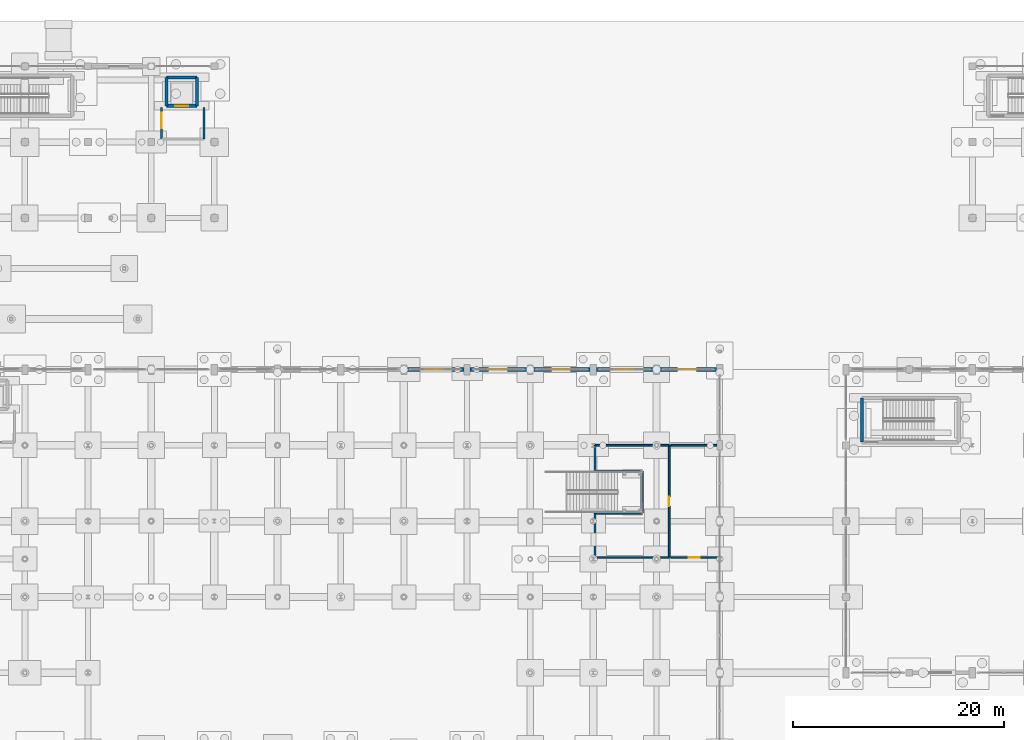
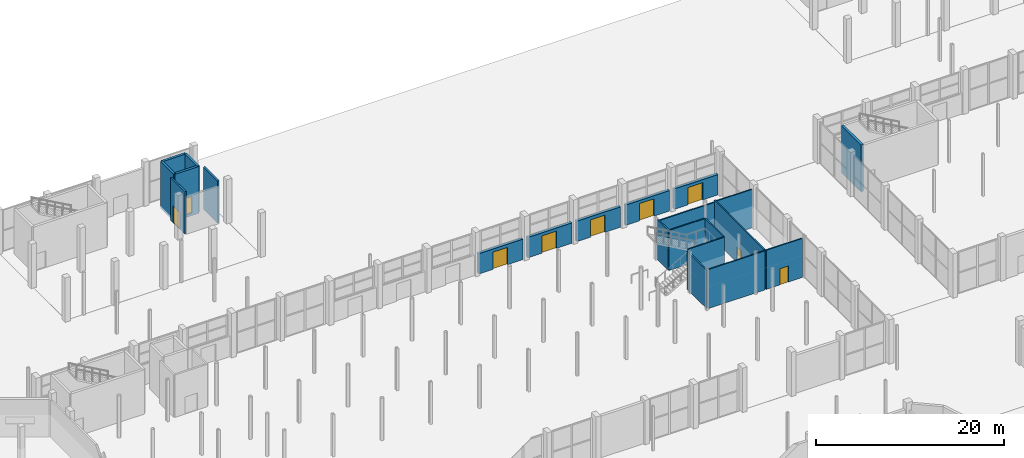
# One storey, part 81 of 103: 22 walls, 9 doors, 9 openings.
"""IFC4 building model written with IfcOpenShell, lengths in metres."""

from ifc_helpers import new_model, si_unit, direction, frame, frame_2d, origin, place, context, subcontext, project, spatial, rectangle, extrude, material, layer, layer_set, type_object, element, fill, save


model = new_model("IFC4")

# Units and contexts
model_context = context("Model", 3, precision=1e-05, world=origin(), true_north=direction((0.0, 1.0)))
body_context = subcontext(model_context, "Body", "Model", "MODEL_VIEW")
ifc_project = project(units=[si_unit("LENGTHUNIT", "METRE"), si_unit("AREAUNIT", "SQUARE_METRE"), si_unit("VOLUMEUNIT", "CUBIC_METRE"), si_unit("PLANEANGLEUNIT", "RADIAN"), si_unit("MASSUNIT", "GRAM", prefix="KILO")], contexts=[model_context])

# Site, building, storey
site_placement = place(None, origin())
site = spatial("IfcSite", under=ifc_project, at=site_placement, CompositionType="ELEMENT")
building_placement = place(site_placement, origin())
building = spatial("IfcBuilding", under=site, at=building_placement, Name="Dunvalen Ferry Terminal", CompositionType="ELEMENT")
storey_placement = place(building_placement, origin())
storey = spatial("IfcBuildingStorey", under=building, at=storey_placement, Name="L00", CompositionType="ELEMENT", Elevation=0.0)

# Wall, opening, door
ifc_material_1 = material(Name="Precast concrete C40/50", Category="concrete")
ifc_layer_1 = layer(ifc_material_1, 0.340087890625, Name="Precast concrete C40/50")
ifc_layer_set_1 = layer_set([ifc_layer_1], Name="Precast concrete C40/50")
wall_type_1 = type_object("IfcWallType", Name="ENV-WL-SPN340", PredefinedType="SOLIDWALL", material=ifc_layer_set_1)
wall_1_placement = place(storey_placement, frame((66.277099609375, 86.39990234375, 0.0), z_axis=(0.0, 0.0, 1.0), x_axis=(1.0, 0.0, 0.0)))
wall_1 = element("IfcWall", 1, at=wall_1_placement, inside=storey, type_object=wall_type_1, Name="L00 Departure Hall Quay Storefront Portal Wall 10", PredefinedType="SOLIDWALL", context=body_context, shape_type="SweptSolid", body=[
    extrude(rectangle(XDim=5.4208984375, YDim=0.340087890625, at=frame_2d((2.71044921875, 0.0))), origin(), (0.0, 0.0, 1.0), 2.64990234375),
])
opening_1_placement = place(wall_1_placement, frame((1.733154296875, 0.0, 0.0)))
opening_1 = element("IfcOpeningElement", 2, at=opening_1_placement, cuts=wall_1, Name="Opening ED-03", PredefinedType="OPENING", context=body_context, shape_type="SweptSolid", body=[
    extrude(rectangle(XDim=1.800048828125, YDim=2.25, at=frame_2d((0.89990234375, 1.125))), frame((0.0, 0.18017578125, 0.0), z_axis=(0.0, -1.0, 0.0), x_axis=(1.0, 0.0, 0.0)), (0.0, 0.0, 1.0), 0.360107421875),
])
ifc_material_2 = material(Name="Marine grade powder-coated aluminium and laminated glass", Category="aluminium")
door_type_1 = type_object("IfcDoorType", Name="ENV-DR-EXT-1800", OperationType="DOUBLE_SWING_LEFT", PredefinedType="DOOR", material=ifc_material_2)
door_1_placement = place(opening_1_placement, origin())
door_1 = element("IfcDoor", 3, at=door_1_placement, inside=storey, type_object=door_type_1, Name="L00 Departure Hall Quay Promenade Exit Door 10", OperationType="DOUBLE_SWING_LEFT", OverallHeight=2.25, OverallWidth=1.800048828125, PredefinedType="DOOR", context=body_context, shape_type="SweptSolid", body=[
    extrude(rectangle(XDim=1.800048828125, YDim=2.25, at=frame_2d((0.89990234375, 1.125))), frame((0.0, 0.02490234375, 0.0), z_axis=(0.0, -1.0, 0.0), x_axis=(1.0, 0.0, 0.0)), (0.0, 0.0, 1.0), 0.050048828125),
])
fill(opening_1, door_1)

wall_2_placement = place(storey_placement, frame((72.302001953125, 86.39990234375, 0.0), z_axis=(0.0, 0.0, 1.0), x_axis=(1.0, 0.0, 0.0)))
wall_2 = element("IfcWall", 4, at=wall_2_placement, inside=storey, type_object=wall_type_1, Name="L00 Departure Hall Quay Storefront Portal Wall 11", PredefinedType="SOLIDWALL", context=body_context, shape_type="SweptSolid", body=[
    extrude(rectangle(XDim=5.4208984375, YDim=0.340087890625, at=frame_2d((2.71044921875, 0.0))), origin(), (0.0, 0.0, 1.0), 2.64990234375),
])
opening_2_placement = place(wall_2_placement, frame((1.733154296875, 0.0, 0.0)))
opening_2 = element("IfcOpeningElement", 5, at=opening_2_placement, cuts=wall_2, Name="Opening ED-03", PredefinedType="OPENING", context=body_context, shape_type="SweptSolid", body=[
    extrude(rectangle(XDim=1.800048828125, YDim=2.25, at=frame_2d((0.89990234375, 1.125))), frame((0.0, 0.18017578125, 0.0), z_axis=(0.0, -1.0, 0.0), x_axis=(1.0, 0.0, 0.0)), (0.0, 0.0, 1.0), 0.360107421875),
])
door_2_placement = place(opening_2_placement, origin())
door_2 = element("IfcDoor", 6, at=door_2_placement, inside=storey, type_object=door_type_1, Name="L00 Departure Hall Quay Promenade Exit Door 11", OperationType="DOUBLE_SWING_LEFT", OverallHeight=2.25, OverallWidth=1.800048828125, PredefinedType="DOOR", context=body_context, shape_type="SweptSolid", body=[
    extrude(rectangle(XDim=1.800048828125, YDim=2.25, at=frame_2d((0.89990234375, 1.125))), frame((0.0, 0.02490234375, 0.0), z_axis=(0.0, -1.0, 0.0), x_axis=(1.0, 0.0, 0.0)), (0.0, 0.0, 1.0), 0.050048828125),
])
fill(opening_2, door_2)

wall_3_placement = place(storey_placement, frame((78.277099609375, 86.39990234375, 0.0), z_axis=(0.0, 0.0, 1.0), x_axis=(1.0, 0.0, 0.0)))
wall_3 = element("IfcWall", 7, at=wall_3_placement, inside=storey, type_object=wall_type_1, Name="L00 Departure Hall Quay Storefront Portal Wall 12", PredefinedType="SOLIDWALL", context=body_context, shape_type="SweptSolid", body=[
    extrude(rectangle(XDim=5.4208984375, YDim=0.340087890625, at=frame_2d((2.71044921875, 0.0))), origin(), (0.0, 0.0, 1.0), 2.64990234375),
])
opening_3_placement = place(wall_3_placement, frame((1.733154296875, 0.0, 0.0)))
opening_3 = element("IfcOpeningElement", 8, at=opening_3_placement, cuts=wall_3, Name="Opening ED-03", PredefinedType="OPENING", context=body_context, shape_type="SweptSolid", body=[
    extrude(rectangle(XDim=1.800048828125, YDim=2.25, at=frame_2d((0.89990234375, 1.125))), frame((0.0, 0.18017578125, 0.0), z_axis=(0.0, -1.0, 0.0), x_axis=(1.0, 0.0, 0.0)), (0.0, 0.0, 1.0), 0.360107421875),
])
door_3_placement = place(opening_3_placement, origin())
door_3 = element("IfcDoor", 9, at=door_3_placement, inside=storey, type_object=door_type_1, Name="L00 Departure Hall Quay Promenade Exit Door 12", OperationType="DOUBLE_SWING_LEFT", OverallHeight=2.25, OverallWidth=1.800048828125, PredefinedType="DOOR", context=body_context, shape_type="SweptSolid", body=[
    extrude(rectangle(XDim=1.800048828125, YDim=2.25, at=frame_2d((0.89990234375, 1.125))), frame((0.0, 0.02490234375, 0.0), z_axis=(0.0, -1.0, 0.0), x_axis=(1.0, 0.0, 0.0)), (0.0, 0.0, 1.0), 0.050048828125),
])
fill(opening_3, door_3)

wall_4_placement = place(storey_placement, frame((84.302001953125, 86.39990234375, 0.0), z_axis=(0.0, 0.0, 1.0), x_axis=(1.0, 0.0, 0.0)))
wall_4 = element("IfcWall", 10, at=wall_4_placement, inside=storey, type_object=wall_type_1, Name="L00 Departure Hall Quay Storefront Portal Wall 13", PredefinedType="SOLIDWALL", context=body_context, shape_type="SweptSolid", body=[
    extrude(rectangle(XDim=5.4208984375, YDim=0.340087890625, at=frame_2d((2.71044921875, 0.0))), origin(), (0.0, 0.0, 1.0), 2.64990234375),
])
opening_4_placement = place(wall_4_placement, frame((1.733154296875, 0.0, 0.0)))
opening_4 = element("IfcOpeningElement", 11, at=opening_4_placement, cuts=wall_4, Name="Opening ED-03", PredefinedType="OPENING", context=body_context, shape_type="SweptSolid", body=[
    extrude(rectangle(XDim=1.800048828125, YDim=2.25, at=frame_2d((0.89990234375, 1.125))), frame((0.0, 0.18017578125, 0.0), z_axis=(0.0, -1.0, 0.0), x_axis=(1.0, 0.0, 0.0)), (0.0, 0.0, 1.0), 0.360107421875),
])
door_4_placement = place(opening_4_placement, origin())
door_4 = element("IfcDoor", 12, at=door_4_placement, inside=storey, type_object=door_type_1, Name="L00 Departure Hall Quay Promenade Exit Door 13", OperationType="DOUBLE_SWING_LEFT", OverallHeight=2.25, OverallWidth=1.800048828125, PredefinedType="DOOR", context=body_context, shape_type="SweptSolid", body=[
    extrude(rectangle(XDim=1.800048828125, YDim=2.25, at=frame_2d((0.89990234375, 1.125))), frame((0.0, 0.02490234375, 0.0), z_axis=(0.0, -1.0, 0.0), x_axis=(1.0, 0.0, 0.0)), (0.0, 0.0, 1.0), 0.050048828125),
])
fill(opening_4, door_4)

wall_5_placement = place(storey_placement, frame((90.277099609375, 86.39990234375, 0.0), z_axis=(0.0, 0.0, 1.0), x_axis=(1.0, 0.0, 0.0)))
wall_5 = element("IfcWall", 13, at=wall_5_placement, inside=storey, type_object=wall_type_1, Name="L00 Departure Hall Quay Storefront Portal Wall 14", PredefinedType="SOLIDWALL", context=body_context, shape_type="SweptSolid", body=[
    extrude(rectangle(XDim=5.4208984375, YDim=0.340087890625, at=frame_2d((2.71044921875, 0.0))), origin(), (0.0, 0.0, 1.0), 2.64990234375),
])
opening_5_placement = place(wall_5_placement, frame((1.733154296875, 0.0, 0.0)))
opening_5 = element("IfcOpeningElement", 14, at=opening_5_placement, cuts=wall_5, Name="Opening ED-03", PredefinedType="OPENING", context=body_context, shape_type="SweptSolid", body=[
    extrude(rectangle(XDim=1.800048828125, YDim=2.25, at=frame_2d((0.89990234375, 1.125))), frame((0.0, 0.18017578125, 0.0), z_axis=(0.0, -1.0, 0.0), x_axis=(1.0, 0.0, 0.0)), (0.0, 0.0, 1.0), 0.360107421875),
])
door_5_placement = place(opening_5_placement, origin())
door_5 = element("IfcDoor", 15, at=door_5_placement, inside=storey, type_object=door_type_1, Name="L00 Departure Hall Quay Promenade Exit Door 14", OperationType="DOUBLE_SWING_LEFT", OverallHeight=2.25, OverallWidth=1.800048828125, PredefinedType="DOOR", context=body_context, shape_type="SweptSolid", body=[
    extrude(rectangle(XDim=1.800048828125, YDim=2.25, at=frame_2d((0.89990234375, 1.125))), frame((0.0, 0.02490234375, 0.0), z_axis=(0.0, -1.0, 0.0), x_axis=(1.0, 0.0, 0.0)), (0.0, 0.0, 1.0), 0.050048828125),
])
fill(opening_5, door_5)

ifc_material_3 = material(Name="Autoclaved aerated concrete blockwork", Category="masonry")
ifc_layer_2 = layer(ifc_material_3, 0.199951171875, Name="Autoclaved aerated concrete blockwork")
ifc_layer_set_2 = layer_set([ifc_layer_2], Name="Autoclaved aerated concrete blockwork")
wall_type_2 = type_object("IfcWallType", Name="INT-WL-CMP200", PredefinedType="PARTITIONING", material=ifc_layer_set_2)
wall_6_placement = place(storey_placement, frame((42.989990234375, 111.31005859375, 0.0), z_axis=(0.0, 0.0, 1.0), x_axis=(0.0, -1.0, 0.0)))
wall_6 = element("IfcWall", 16, at=wall_6_placement, inside=storey, type_object=wall_type_2, Name="L00 L00 Lift Lobby LP-03 Partition 2", PredefinedType="PARTITIONING", context=body_context, shape_type="SweptSolid", body=[
    extrude(rectangle(XDim=3.02001953125, YDim=0.199951171875, at=frame_2d((1.510009765625, 0.0))), origin(), (0.0, 0.0, 1.0), 5.5),
])
opening_6_placement = place(wall_6_placement, frame((0.508056640625, 0.0, 0.0)))
opening_6 = element("IfcOpeningElement", 17, at=opening_6_placement, cuts=wall_6, Name="Opening ID-04", PredefinedType="OPENING", context=body_context, shape_type="SweptSolid", body=[
    extrude(rectangle(XDim=1.5, YDim=2.199951171875, at=frame_2d((0.75, 1.10009765625))), frame((0.0, 0.10986328125, 0.0), z_axis=(0.0, -1.0, 0.0), x_axis=(1.0, 0.0, 0.0)), (0.0, 0.0, 1.0), 0.219970703125),
])
ifc_material_4 = material(Name="Anodised aluminium glazed fire door", Category="aluminium")
door_type_2 = type_object("IfcDoorType", Name="INT-DR-LOB-1500", OperationType="DOUBLE_SWING_LEFT", PredefinedType="DOOR", material=ifc_material_4)
door_6_placement = place(opening_6_placement, origin())
door_6 = element("IfcDoor", 18, at=door_6_placement, inside=storey, type_object=door_type_2, Name="L00 Lift Lobby LP-03 Door", OperationType="DOUBLE_SWING_LEFT", OverallHeight=2.199951171875, OverallWidth=1.5, PredefinedType="DOOR", context=body_context, shape_type="SweptSolid", body=[
    extrude(rectangle(XDim=1.5, YDim=2.199951171875, at=frame_2d((0.75, 1.10009765625))), frame((0.0, 0.02490234375, 0.0), z_axis=(0.0, -1.0, 0.0), x_axis=(1.0, 0.0, 0.0)), (0.0, 0.0, 1.0), 0.050048828125),
])
fill(opening_6, door_6)

# Walls
wall_7_placement = place(storey_placement, frame((47.010009765625, 108.2900390625, 0.0), z_axis=(0.0, 0.0, 1.0), x_axis=(0.0, 1.0, 0.0)))
element("IfcWall", 19, at=wall_7_placement, inside=storey, type_object=wall_type_2, Name="L00 L00 Lift Lobby LP-03 Partition 4", PredefinedType="PARTITIONING", context=body_context, shape_type="SweptSolid", body=[
    extrude(rectangle(XDim=3.02001953125, YDim=0.199951171875, at=frame_2d((1.510009765625, 0.0))), origin(), (0.0, 0.0, 1.0), 5.5),
])
ifc_material_5 = material(Name="Moisture-resistant tile-backer partition", Category="gypsum")
ifc_layer_3 = layer(ifc_material_5, 0.159912109375, Name="Moisture-resistant tile-backer partition")
ifc_layer_set_3 = layer_set([ifc_layer_3], Name="Moisture-resistant tile-backer partition")
wall_type_3 = type_object("IfcWallType", Name="INT-WL-PRT160", PredefinedType="PARTITIONING", material=ifc_layer_set_3)
wall_8_placement = place(storey_placement, frame((88.63818359375, 72.753662109375, 0.0), z_axis=(0.0, 0.0, 1.0), x_axis=(-0.999995339824, -0.003052921498, 0.0)))
element("IfcWall", 20, at=wall_8_placement, inside=storey, type_object=wall_type_3, Name="L00 L00 Concourse Public Toilets Partition 2", PredefinedType="PARTITIONING", context=body_context, shape_type="SweptSolid", body=[
    extrude(rectangle(XDim=4.478271484375, YDim=0.159912109375, at=frame_2d((2.2392578125, 0.0))), origin(), (0.0, 0.0, 1.0), 5.199951171875),
])
wall_9_placement = place(storey_placement, frame((84.159912109375, 72.739990234375, 0.0), z_axis=(0.0, 0.0, 1.0), x_axis=(0.0, -1.0, 0.0)))
element("IfcWall", 21, at=wall_9_placement, inside=storey, type_object=wall_type_3, Name="L00 L00 Concourse Public Toilets Partition 3", PredefinedType="PARTITIONING", context=body_context, shape_type="SweptSolid", body=[
    extrude(rectangle(XDim=4.179931640625, YDim=0.159912109375, at=frame_2d((2.08984375, 0.0))), origin(), (0.0, 0.0, 1.0), 4.93701171875),
])
wall_10_placement = place(storey_placement, frame((84.159912109375, 68.56005859375, 0.0), z_axis=(0.0, 0.0, 1.0), x_axis=(1.0, 0.0, 0.0)))
element("IfcWall", 22, at=wall_10_placement, inside=storey, type_object=wall_type_3, Name="L00 L00 Concourse Public Toilets Partition 4", PredefinedType="PARTITIONING", context=body_context, shape_type="SweptSolid", body=[
    extrude(rectangle(XDim=7.0400390625, YDim=0.159912109375, at=frame_2d((3.52001953125, 0.0))), origin(), (0.0, 0.0, 1.0), 5.063720703125),
])

# Wall, opening, door
wall_11_placement = place(storey_placement, frame((91.199951171875, 68.56005859375, 0.0), z_axis=(0.0, 0.0, 1.0), x_axis=(0.0, 1.0, 0.0)))
wall_11 = element("IfcWall", 23, at=wall_11_placement, inside=storey, type_object=wall_type_3, Name="L00 L00 Concourse Public Toilets Partition 5", PredefinedType="PARTITIONING", context=body_context, shape_type="SweptSolid", body=[
    extrude(rectangle(XDim=10.639892578125, YDim=0.159912109375, at=frame_2d((5.31982421875, 0.0))), origin(), (0.0, 0.0, 1.0), 5.199951171875),
])
opening_7_placement = place(wall_11_placement, frame((4.860107421875, 0.0, 0.0)))
opening_7 = element("IfcOpeningElement", 24, at=opening_7_placement, cuts=wall_11, Name="Opening ID-14", PredefinedType="OPENING", context=body_context, shape_type="SweptSolid", body=[
    extrude(rectangle(XDim=0.919921875, YDim=2.10009765625, at=frame_2d((0.4599609375, 1.050048828125))), frame((0.0, 0.08984375, 0.0), z_axis=(0.0, -1.0, 0.0), x_axis=(1.0, 0.0, 0.0)), (0.0, 0.0, 1.0), 0.179931640625),
])
ifc_material_6 = material(Name="High-pressure laminate door", Category="wood")
door_type_3 = type_object("IfcDoorType", Name="INT-DR-WC-0920", OperationType="NOTDEFINED", PredefinedType="DOOR", material=ifc_material_6)
door_7_placement = place(opening_7_placement, origin())
door_7 = element("IfcDoor", 25, at=door_7_placement, inside=storey, type_object=door_type_3, Name="L00 Concourse Public Toilets Door", OperationType="SINGLE_SWING_RIGHT", OverallHeight=2.10009765625, OverallWidth=0.919921875, PredefinedType="DOOR", context=body_context, shape_type="SweptSolid", body=[
    extrude(rectangle(XDim=0.919921875, YDim=2.10009765625, at=frame_2d((0.4599609375, 1.050048828125))), frame((0.0, 0.02490234375, 0.0), z_axis=(0.0, -1.0, 0.0), x_axis=(1.0, 0.0, 0.0)), (0.0, 0.0, 1.0), 0.050048828125),
])
fill(opening_7, door_7)

# Walls
wall_12_placement = place(storey_placement, frame((91.199951171875, 79.199951171875, 0.0), z_axis=(0.0, 0.0, 1.0), x_axis=(-1.0, 0.0, 0.0)))
element("IfcWall", 26, at=wall_12_placement, inside=storey, type_object=wall_type_3, Name="L00 L00 Concourse Public Toilets Partition 6", PredefinedType="PARTITIONING", context=body_context, shape_type="SweptSolid", body=[
    extrude(rectangle(XDim=7.0400390625, YDim=0.159912109375, at=frame_2d((3.52001953125, 0.0))), origin(), (0.0, 0.0, 1.0), 4.93701171875),
])
wall_13_placement = place(storey_placement, frame((84.159912109375, 79.199951171875, 0.0), z_axis=(0.0, 0.0, 1.0), x_axis=(0.0, -1.0, 0.0)))
element("IfcWall", 27, at=wall_13_placement, inside=storey, type_object=wall_type_3, Name="L00 L00 Concourse Public Toilets Partition 7", PredefinedType="PARTITIONING", context=body_context, shape_type="SweptSolid", body=[
    extrude(rectangle(XDim=2.43994140625, YDim=0.159912109375, at=frame_2d((1.219970703125, 0.0))), origin(), (0.0, 0.0, 1.0), 5.199951171875),
])
wall_14_placement = place(storey_placement, frame((84.159912109375, 76.760009765625, 0.0), z_axis=(0.0, 0.0, 1.0), x_axis=(1.0, 0.0, 0.0)))
element("IfcWall", 28, at=wall_14_placement, inside=storey, type_object=wall_type_3, Name="L00 L00 Concourse Public Toilets Partition 8", PredefinedType="PARTITIONING", context=body_context, shape_type="SweptSolid", body=[
    extrude(rectangle(XDim=4.440185546875, YDim=0.159912109375, at=frame_2d((2.22021484375, 0.0))), origin(), (0.0, 0.0, 1.0), 5.199951171875),
])
wall_15_placement = place(storey_placement, frame((88.646484375, 76.738037109375, 0.0), z_axis=(0.0, 0.0, 1.0), x_axis=(0.00340977559, -0.999994186698, 0.0)))
element("IfcWall", 29, at=wall_15_placement, inside=storey, type_object=wall_type_3, Name="L00 L00 Concourse Public Toilets Partition 10", PredefinedType="PARTITIONING", context=body_context, shape_type="SweptSolid", body=[
    extrude(rectangle(XDim=3.93798828125, YDim=0.159912109375, at=frame_2d((1.968994140625, 0.0))), origin(), (0.0, 0.0, 1.0), 5.199951171875),
])
wall_16_placement = place(storey_placement, frame((95.780029296875, 79.199951171875, 0.0), z_axis=(0.0, 0.0, 1.0), x_axis=(-1.0, 0.0, 0.0)))
element("IfcWall", 30, at=wall_16_placement, inside=storey, type_object=wall_type_3, Name="L00 L00 Changing Places Toilet and Accessible WC Partition 1", PredefinedType="PARTITIONING", context=body_context, shape_type="SweptSolid", body=[
    extrude(rectangle(XDim=4.419921875, YDim=0.159912109375, at=frame_2d((2.2099609375, 0.0))), origin(), (0.0, 0.0, 1.0), 5.012939453125),
])

# Wall, opening, door
wall_17_placement = place(storey_placement, frame((91.360107421875, 68.56005859375, 0.0), z_axis=(0.0, 0.0, 1.0), x_axis=(1.0, 0.0, 0.0)))
wall_17 = element("IfcWall", 31, at=wall_17_placement, inside=storey, type_object=wall_type_3, Name="L00 L00 Changing Places Toilet and Accessible WC Partition 3", PredefinedType="PARTITIONING", context=body_context, shape_type="SweptSolid", body=[
    extrude(rectangle(XDim=4.419921875, YDim=0.159912109375, at=frame_2d((2.2099609375, 0.0))), origin(), (0.0, 0.0, 1.0), 5.080078125),
])
opening_8_placement = place(wall_17_placement, frame((1.699951171875, 0.0, 0.0)))
opening_8 = element("IfcOpeningElement", 32, at=opening_8_placement, cuts=wall_17, Name="Opening ID-13", PredefinedType="OPENING", context=body_context, shape_type="SweptSolid", body=[
    extrude(rectangle(XDim=1.02001953125, YDim=2.10009765625, at=frame_2d((0.510009765625, 1.050048828125))), frame((0.0, 0.08984375, 0.0), z_axis=(0.0, -1.0, 0.0), x_axis=(1.0, 0.0, 0.0)), (0.0, 0.0, 1.0), 0.179931640625),
])
ifc_material_7 = material(Name="High-pressure laminate moisture-resistant door", Category="wood")
door_type_4 = type_object("IfcDoorType", Name="INT-DR-WC-1020", OperationType="NOTDEFINED", PredefinedType="DOOR", material=ifc_material_7)
door_8_placement = place(opening_8_placement, origin())
door_8 = element("IfcDoor", 33, at=door_8_placement, inside=storey, type_object=door_type_4, Name="L00 Changing Places Toilet and Accessible WC Door", OperationType="SINGLE_SWING_LEFT", OverallHeight=2.10009765625, OverallWidth=1.02001953125, PredefinedType="DOOR", context=body_context, shape_type="SweptSolid", body=[
    extrude(rectangle(XDim=1.02001953125, YDim=2.10009765625, at=frame_2d((0.510009765625, 1.050048828125))), frame((0.0, 0.02490234375, 0.0), z_axis=(0.0, -1.0, 0.0), x_axis=(1.0, 0.0, 0.0)), (0.0, 0.0, 1.0), 0.050048828125),
])
fill(opening_8, door_8)

# Wall
ifc_material_8 = material(Name="Concrete C40/50", Category="concrete")
ifc_layer_4 = layer(ifc_material_8, 0.300048828125, Name="Concrete C40/50")
ifc_layer_set_4 = layer_set([ifc_layer_4], Name="Concrete C40/50")
wall_type_4 = type_object("IfcWallType", Name="STR-WL-SHR300", PredefinedType="SHEAR", material=ifc_layer_set_4)
wall_18_placement = place(storey_placement, frame((109.5, 79.5, -0.320068359375), z_axis=(0.0, 0.0, 1.0), x_axis=(0.0, 1.0, 0.0)))
element("IfcWall", 34, at=wall_18_placement, inside=storey, type_object=wall_type_4, Name="L00 ST10 Core West Shear Wall", PredefinedType="SHEAR", context=body_context, shape_type="SweptSolid", body=[
    extrude(rectangle(XDim=4.199951171875, YDim=0.300048828125, at=frame_2d((2.10009765625, 0.0))), origin(), (0.0, 0.0, 1.0), 6.080078125),
])

# Wall, opening, door
wall_19_placement = place(storey_placement, frame((43.449951171875, 111.449951171875, -0.320068359375), z_axis=(0.0, 0.0, 1.0), x_axis=(1.0, 0.0, 0.0)))
wall_19 = element("IfcWall", 35, at=wall_19_placement, inside=storey, type_object=wall_type_4, Name="L00 LP-03 Lift Shaft S Wall", PredefinedType="SHEAR", context=body_context, shape_type="SweptSolid", body=[
    extrude(rectangle(XDim=2.900146484375, YDim=0.300048828125, at=frame_2d((1.4501953125, 0.0))), origin(), (0.0, 0.0, 1.0), 6.080078125),
])
opening_9_placement = place(wall_19_placement, frame((0.85009765625, 0.0, 0.320068359375)))
opening_9 = element("IfcOpeningElement", 36, at=opening_9_placement, cuts=wall_19, Name="Opening LD-02", PredefinedType="OPENING", context=body_context, shape_type="SweptSolid", body=[
    extrude(rectangle(XDim=1.199951171875, YDim=2.14990234375, at=frame_2d((0.60009765625, 1.074951171875))), frame((0.0, 0.16015625, 0.0), z_axis=(0.0, -1.0, 0.0), x_axis=(1.0, 0.0, 0.0)), (0.0, 0.0, 1.0), 0.320068359375),
])
ifc_material_9 = material(Name="Brushed 316 stainless steel", Category="steel")
door_type_5 = type_object("IfcDoorType", Name="INT-DR-LFT-1200", OperationType="SLIDING_TO_LEFT", PredefinedType="DOOR", material=ifc_material_9)
door_9_placement = place(opening_9_placement, origin())
door_9 = element("IfcDoor", 37, at=door_9_placement, inside=storey, type_object=door_type_5, Name="L00 LP-03 Lift Sliding Landing Door", OperationType="SLIDING_TO_LEFT", OverallHeight=2.14990234375, OverallWidth=1.199951171875, PredefinedType="DOOR", context=body_context, shape_type="SweptSolid", body=[
    extrude(rectangle(XDim=1.199951171875, YDim=2.14990234375, at=frame_2d((0.60009765625, 1.074951171875))), frame((0.0, 0.02490234375, 0.0), z_axis=(0.0, -1.0, 0.0), x_axis=(1.0, 0.0, 0.0)), (0.0, 0.0, 1.0), 0.050048828125),
])
fill(opening_9, door_9)

# Walls
wall_20_placement = place(storey_placement, frame((43.449951171875, 114.14990234375, -0.320068359375), z_axis=(0.0, 0.0, 1.0), x_axis=(1.0, 0.0, 0.0)))
element("IfcWall", 38, at=wall_20_placement, inside=storey, type_object=wall_type_4, Name="L00 LP-03 Lift Shaft N Wall", PredefinedType="SHEAR", context=body_context, shape_type="SweptSolid", body=[
    extrude(rectangle(XDim=2.900146484375, YDim=0.300048828125, at=frame_2d((1.4501953125, 0.0))), origin(), (0.0, 0.0, 1.0), 6.080078125),
])
for number, where, z_axis, x_axis, name in (
    (39, (43.449951171875, 111.449951171875, -0.320068359375), (0.0, 0.0, 1.0), (0.0, 1.0, 0.0), "L00 LP-03 Lift Shaft W Wall"),
    (40, (46.35009765625, 111.449951171875, -0.320068359375), (0.0, 0.0, 1.0), (0.0, 1.0, 0.0), "L00 LP-03 Lift Shaft E Wall"),
):
    element("IfcWall", number, at=place(storey_placement, frame(where, z_axis=z_axis, x_axis=x_axis)), inside=storey, type_object=wall_type_4, Name=name, PredefinedType="SHEAR", context=body_context, shape_type="SweptSolid", body=[
        extrude(rectangle(XDim=2.699951171875, YDim=0.300048828125, at=frame_2d((1.35009765625, 0.0))), origin(), (0.0, 0.0, 1.0), 6.080078125),
    ])

save(model, "model.ifc")
